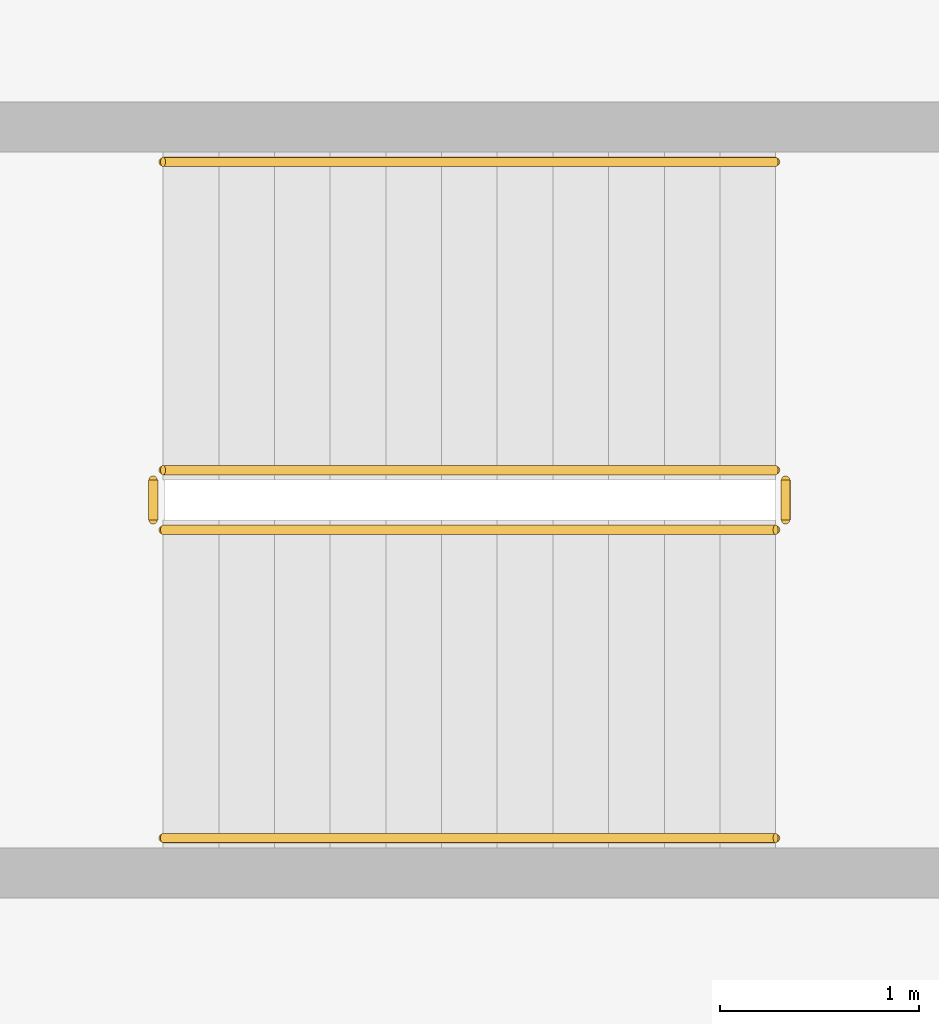
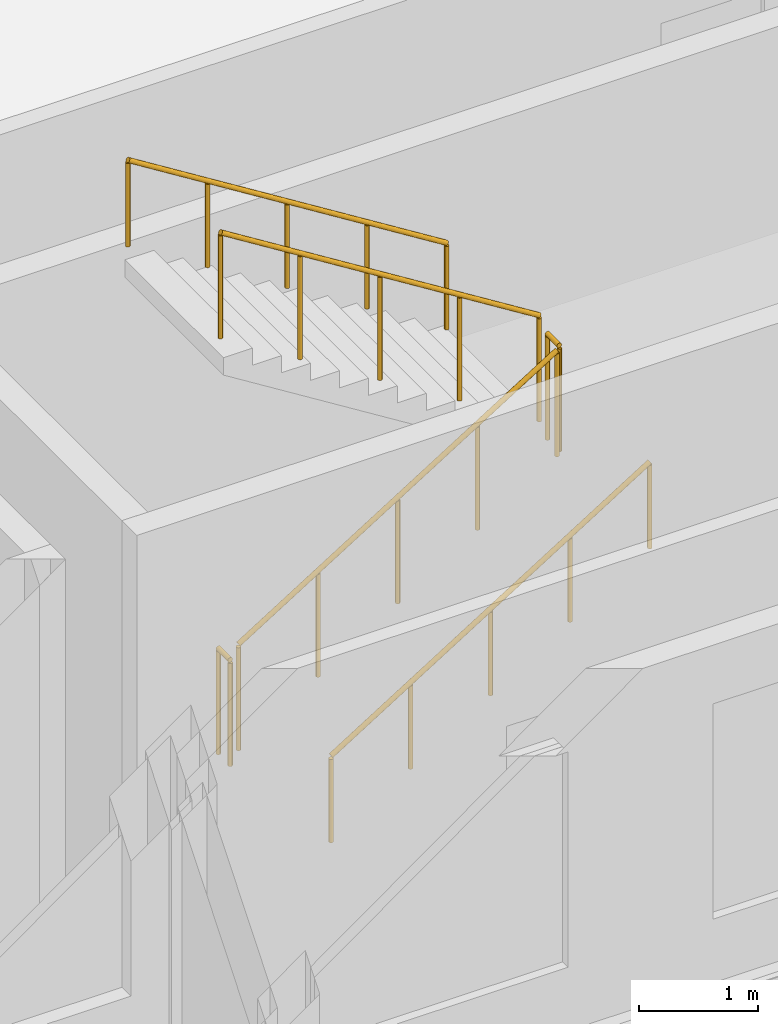
# One storey, part 80 of 81: 6 railings.
"""IFC4 building model written with IfcOpenShell, lengths in metres."""

from ifc_helpers import new_model, si_unit, direction, frame, origin, origin_2d, place, context, subcontext, project, spatial, circle, extrude, material, type_object, element, save


model = new_model("IFC4")

# Units and contexts
model_context = context("Model", 3, precision=1e-05, world=origin(), true_north=direction((0.0, 1.0)))
body_context = subcontext(model_context, "Body", "Model", "MODEL_VIEW")
ifc_project = project(units=[si_unit("LENGTHUNIT", "METRE"), si_unit("AREAUNIT", "SQUARE_METRE"), si_unit("VOLUMEUNIT", "CUBIC_METRE"), si_unit("PLANEANGLEUNIT", "RADIAN"), si_unit("MASSUNIT", "GRAM", prefix="KILO")], contexts=[model_context])

# Site, building, storey
site_placement = place(None, origin())
site = spatial("IfcSite", under=ifc_project, at=site_placement, CompositionType="ELEMENT")
building_placement = place(site_placement, origin())
building = spatial("IfcBuilding", under=site, at=building_placement, Name="Kahlenmark Community Centre", CompositionType="ELEMENT")
storey_placement = place(building_placement, frame((0.0, 0.0, 9.60009765625)))
storey = spatial("IfcBuildingStorey", under=building, at=storey_placement, Name="L02", CompositionType="ELEMENT", Elevation=9.60009765625)

# Railings
ifc_material_1 = material(Name="Brushed stainless steel 1.4301 handrail", Category="steel")
railing_type_1 = type_object("IfcRailingType", Name="RLT-HR-900", PredefinedType="HANDRAIL", material=ifc_material_1)
railing_1_placement = place(storey_placement, frame((60.39990234375, 99.25, 0.1748046875)))
element("IfcRailing", 1, at=railing_1_placement, inside=storey, type_object=railing_type_1, Name="L02 ST-05 stair handrail 1", PredefinedType="HANDRAIL", context=body_context, shape_type="SweptSolid", body=[
    extrude(circle(Radius=0.02392578125, at=origin_2d()), frame((0.0, 0.0, 0.8759765625), z_axis=(0.847998304005, 0.0, 0.529998940003), x_axis=(0.0, 1.0, 0.0)), (0.0, 0.0, 1.0), 3.632080078125),
    extrude(circle(Radius=0.02099609375, at=origin_2d()), origin(), (0.0, 0.0, 1.0), 0.851806640625),
    extrude(circle(Radius=0.02099609375, at=origin_2d()), frame((0.77001953125, 0.0, 0.481201171875)), (0.0, 0.0, 1.0), 0.851806640625),
    extrude(circle(Radius=0.02099609375, at=origin_2d()), frame((1.5400390625, 0.0, 0.96240234375)), (0.0, 0.0, 1.0), 0.851806640625),
    extrude(circle(Radius=0.02099609375, at=origin_2d()), frame((2.31005859375, 0.0, 1.44384765625)), (0.0, 0.0, 1.0), 0.851806640625),
    extrude(circle(Radius=0.02099609375, at=origin_2d()), frame((3.080078125, 0.0, 1.925048828125)), (0.0, 0.0, 1.0), 0.851806640625),
])
railing_2_placement = place(storey_placement, frame((63.47998046875, 102.64990234375, 2.27490234375)))
element("IfcRailing", 2, at=railing_2_placement, inside=storey, type_object=railing_type_1, Name="L02 ST-05 stair handrail 2", PredefinedType="HANDRAIL", context=body_context, shape_type="SweptSolid", body=[
    extrude(circle(Radius=0.02392578125, at=origin_2d()), frame((0.0, 0.0, 0.8759765625), z_axis=(-0.847998304005, 0.0, 0.529998940003), x_axis=(0.0, -1.0, 0.0)), (0.0, 0.0, 1.0), 3.632080078125),
    extrude(circle(Radius=0.02099609375, at=origin_2d()), origin(), (0.0, 0.0, 1.0), 0.851806640625),
    extrude(circle(Radius=0.02099609375, at=origin_2d()), frame((-0.77001953125, 0.0, 0.481201171875)), (0.0, 0.0, 1.0), 0.851806640625),
    extrude(circle(Radius=0.02099609375, at=origin_2d()), frame((-1.5400390625, 0.0, 0.96240234375)), (0.0, 0.0, 1.0), 0.851806640625),
    extrude(circle(Radius=0.02099609375, at=origin_2d()), frame((-2.31005859375, 0.0, 1.44384765625)), (0.0, 0.0, 1.0), 0.851806640625),
    extrude(circle(Radius=0.02099609375, at=origin_2d()), frame((-3.080078125, 0.0, 1.925048828125)), (0.0, 0.0, 1.0), 0.851806640625),
])
ifc_material_2 = material(Name="Powder-coated steel stair well guard", Category="steel")
railing_type_2 = type_object("IfcRailingType", Name="RLT-SG-1120", PredefinedType="GUARDRAIL", material=ifc_material_2)
railing_3_placement = place(storey_placement, frame((60.39990234375, 100.800048828125, 0.1748046875)))
element("IfcRailing", 3, at=railing_3_placement, inside=storey, type_object=railing_type_2, Name="L02 ST-05 stair guard 1", PredefinedType="GUARDRAIL", context=body_context, shape_type="SweptSolid", body=[
    extrude(circle(Radius=0.02392578125, at=origin_2d()), frame((0.0, 0.0, 1.076171875), z_axis=(0.847998304005, 0.0, 0.529998940003), x_axis=(0.0, 1.0, 0.0)), (0.0, 0.0, 1.0), 3.632080078125),
    extrude(circle(Radius=0.02099609375, at=origin_2d()), origin(), (0.0, 0.0, 1.0), 1.052001953125),
    extrude(circle(Radius=0.02099609375, at=origin_2d()), frame((0.77001953125, 0.0, 0.481201171875)), (0.0, 0.0, 1.0), 1.052001953125),
    extrude(circle(Radius=0.02099609375, at=origin_2d()), frame((1.5400390625, 0.0, 0.96240234375)), (0.0, 0.0, 1.0), 1.052001953125),
    extrude(circle(Radius=0.02099609375, at=origin_2d()), frame((2.31005859375, 0.0, 1.44384765625)), (0.0, 0.0, 1.0), 1.052001953125),
    extrude(circle(Radius=0.02099609375, at=origin_2d()), frame((3.080078125, 0.0, 1.925048828125)), (0.0, 0.0, 1.0), 1.052001953125),
])
railing_4_placement = place(storey_placement, frame((63.530029296875, 100.85009765625, 2.099853515625)))
element("IfcRailing", 4, at=railing_4_placement, inside=storey, type_object=railing_type_2, Name="L02 ST-05 stair guard 2", PredefinedType="GUARDRAIL", context=body_context, shape_type="SweptSolid", body=[
    extrude(circle(Radius=0.02392578125, at=origin_2d()), frame((0.0, 0.0, 1.076171875), z_axis=(0.0, 1.0, 0.0), x_axis=(-1.0, 0.0, 0.0)), (0.0, 0.0, 1.0), 0.199951171875),
    extrude(circle(Radius=0.02099609375, at=origin_2d()), origin(), (0.0, 0.0, 1.0), 1.052001953125),
    extrude(circle(Radius=0.02099609375, at=origin_2d()), frame((0.0, 0.199951171875, 0.0)), (0.0, 0.0, 1.0), 1.052001953125),
])
railing_5_placement = place(storey_placement, frame((63.47998046875, 101.10009765625, 2.27490234375)))
element("IfcRailing", 5, at=railing_5_placement, inside=storey, type_object=railing_type_2, Name="L02 ST-05 stair guard 3", PredefinedType="GUARDRAIL", context=body_context, shape_type="SweptSolid", body=[
    extrude(circle(Radius=0.02392578125, at=origin_2d()), frame((0.0, 0.0, 1.076171875), z_axis=(-0.847998304005, 0.0, 0.529998940003), x_axis=(0.0, -1.0, 0.0)), (0.0, 0.0, 1.0), 3.632080078125),
    extrude(circle(Radius=0.02099609375, at=origin_2d()), origin(), (0.0, 0.0, 1.0), 1.052001953125),
    extrude(circle(Radius=0.02099609375, at=origin_2d()), frame((-0.77001953125, 0.0, 0.481201171875)), (0.0, 0.0, 1.0), 1.052001953125),
    extrude(circle(Radius=0.02099609375, at=origin_2d()), frame((-1.5400390625, 0.0, 0.96240234375)), (0.0, 0.0, 1.0), 1.052001953125),
    extrude(circle(Radius=0.02099609375, at=origin_2d()), frame((-2.31005859375, 0.0, 1.44384765625)), (0.0, 0.0, 1.0), 1.052001953125),
    extrude(circle(Radius=0.02099609375, at=origin_2d()), frame((-3.080078125, 0.0, 1.925048828125)), (0.0, 0.0, 1.0), 1.052001953125),
])
railing_6_placement = place(storey_placement, frame((60.35009765625, 100.85009765625, 0.0)))
element("IfcRailing", 6, at=railing_6_placement, inside=storey, type_object=railing_type_2, Name="L02 ST-05 stair guard 4", PredefinedType="GUARDRAIL", context=body_context, shape_type="SweptSolid", body=[
    extrude(circle(Radius=0.02392578125, at=origin_2d()), frame((0.0, 0.0, 1.076171875), z_axis=(0.0, 1.0, 0.0), x_axis=(-1.0, 0.0, 0.0)), (0.0, 0.0, 1.0), 0.199951171875),
    extrude(circle(Radius=0.02099609375, at=origin_2d()), origin(), (0.0, 0.0, 1.0), 1.052001953125),
    extrude(circle(Radius=0.02099609375, at=origin_2d()), frame((0.0, 0.199951171875, 0.0)), (0.0, 0.0, 1.0), 1.052001953125),
])

save(model, "model.ifc")
